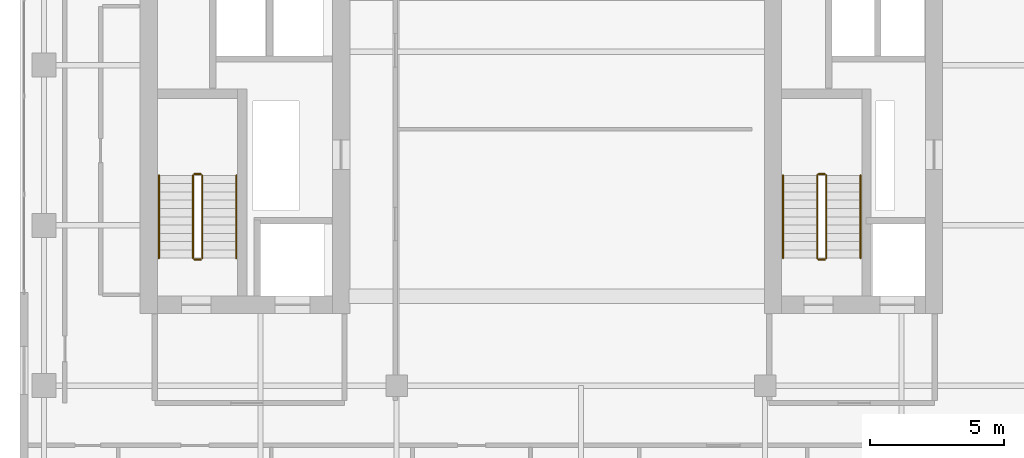
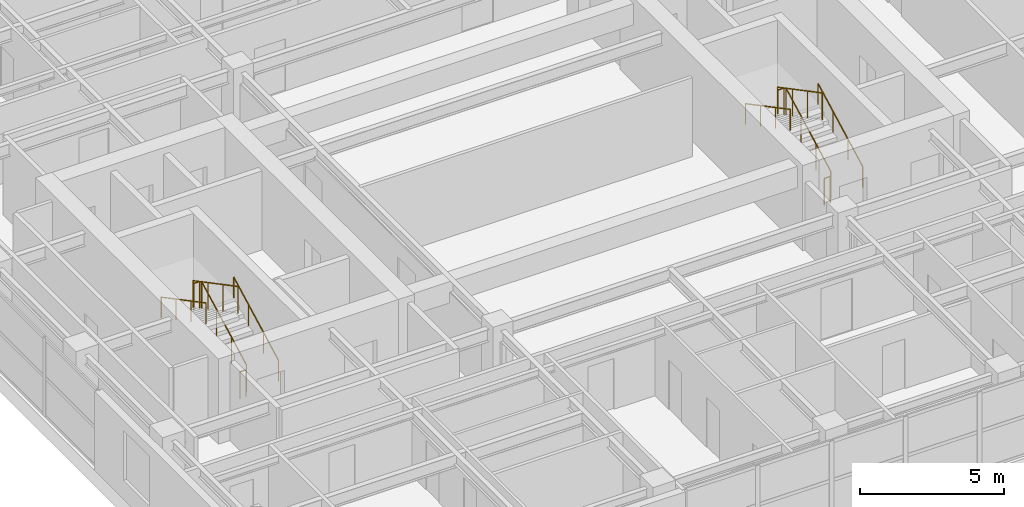
# One storey, part 24 of 24: 12 railings.
"""IFC4 building model written with IfcOpenShell, lengths in metres."""

from ifc_helpers import new_model, si_unit, direction, frame, origin, origin_2d, place, context, subcontext, project, spatial, circle, extrude, material, type_object, element, save


model = new_model("IFC4")

# Units and contexts
model_context = context("Model", 3, precision=1e-05, world=origin(), true_north=direction((0.0, 1.0)))
body_context = subcontext(model_context, "Body", "Model", "MODEL_VIEW")
ifc_project = project(units=[si_unit("LENGTHUNIT", "METRE"), si_unit("AREAUNIT", "SQUARE_METRE"), si_unit("VOLUMEUNIT", "CUBIC_METRE"), si_unit("PLANEANGLEUNIT", "RADIAN"), si_unit("MASSUNIT", "GRAM", prefix="KILO")], contexts=[model_context])

# Site, building, storey
site_placement = place(None, origin())
site = spatial("IfcSite", under=ifc_project, at=site_placement, CompositionType="ELEMENT")
building_placement = place(site_placement, origin())
building = spatial("IfcBuilding", under=site, at=building_placement, Name="Khoralis Quay Care Tower", CompositionType="ELEMENT")
storey_placement = place(building_placement, frame((0.0, 0.0, 155.699951171875)))
storey = spatial("IfcBuildingStorey", under=building, at=storey_placement, Name="L40", CompositionType="ELEMENT", Elevation=155.699951171875)

# Railings
ifc_material = material(Name="Brushed stainless steel", Category="steel")
railing_type_1 = type_object("IfcRailingType", Name="RL-GUARD-1150", PredefinedType="GUARDRAIL", material=ifc_material)
railing_1_placement = place(storey_placement, frame((9.820068359375, 16.77001953125, 0.16357421875)))
element("IfcRailing", 1, at=railing_1_placement, inside=storey, type_object=railing_type_1, Name="L40 ST-T1 stair guard 1", PredefinedType="GUARDRAIL", context=body_context, shape_type="SweptSolid", body=[
    extrude(circle(Radius=0.02392578125, at=origin_2d()), frame((0.0, 0.0, 1.1259765625), z_axis=(0.0, 0.884348015382, 0.466828220752), x_axis=(-1.0, 0.0, 0.0)), (0.0, 0.0, 1.0), 3.505615234375),
    extrude(circle(Radius=0.02099609375, at=origin_2d()), origin(), (0.0, 0.0, 1.0), 1.101806640625),
    extrude(circle(Radius=0.02099609375, at=origin_2d()), frame((0.0, 1.033447265625, 0.54541015625)), (0.0, 0.0, 1.0), 1.101806640625),
    extrude(circle(Radius=0.02099609375, at=origin_2d()), frame((0.0, 2.066650390625, 1.091064453125)), (0.0, 0.0, 1.0), 1.101806640625),
    extrude(circle(Radius=0.02099609375, at=origin_2d()), frame((0.0, 3.10009765625, 1.636474609375)), (0.0, 0.0, 1.0), 1.101806640625),
])
railing_2_placement = place(storey_placement, frame((9.77001953125, 19.919921875, 1.800048828125)))
element("IfcRailing", 2, at=railing_2_placement, inside=storey, type_object=railing_type_1, Name="L40 ST-T1 stair guard 2", PredefinedType="GUARDRAIL", context=body_context, shape_type="SweptSolid", body=[
    extrude(circle(Radius=0.02392578125, at=origin_2d()), frame((0.0, 0.0, 1.1259765625), z_axis=(-1.0, 0.0, 0.0), x_axis=(0.0, -1.0, 0.0)), (0.0, 0.0, 1.0), 0.239990234375),
    extrude(circle(Radius=0.02099609375, at=origin_2d()), origin(), (0.0, 0.0, 1.0), 1.101806640625),
    extrude(circle(Radius=0.02099609375, at=origin_2d()), frame((-0.239990234375, 0.0, 0.0)), (0.0, 0.0, 1.0), 1.101806640625),
])
railing_3_placement = place(storey_placement, frame((9.47998046875, 19.8701171875, 1.963623046875)))
element("IfcRailing", 3, at=railing_3_placement, inside=storey, type_object=railing_type_1, Name="L40 ST-T1 stair guard 3", PredefinedType="GUARDRAIL", context=body_context, shape_type="SweptSolid", body=[
    extrude(circle(Radius=0.02392578125, at=origin_2d()), frame((0.0, 0.0, 1.1259765625), z_axis=(0.0, -0.884348015382, 0.466828220752), x_axis=(1.0, 0.0, 0.0)), (0.0, 0.0, 1.0), 3.505615234375),
    extrude(circle(Radius=0.02099609375, at=origin_2d()), origin(), (0.0, 0.0, 1.0), 1.101806640625),
    extrude(circle(Radius=0.02099609375, at=origin_2d()), frame((0.0, -1.033447265625, 0.54541015625)), (0.0, 0.0, 1.0), 1.101806640625),
    extrude(circle(Radius=0.02099609375, at=origin_2d()), frame((0.0, -2.066650390625, 1.091064453125)), (0.0, 0.0, 1.0), 1.101806640625),
    extrude(circle(Radius=0.02099609375, at=origin_2d()), frame((0.0, -3.10009765625, 1.636474609375)), (0.0, 0.0, 1.0), 1.101806640625),
])
railing_4_placement = place(storey_placement, frame((9.77001953125, 16.719970703125, 0.0)))
element("IfcRailing", 4, at=railing_4_placement, inside=storey, type_object=railing_type_1, Name="L40 ST-T1 stair guard 4", PredefinedType="GUARDRAIL", context=body_context, shape_type="SweptSolid", body=[
    extrude(circle(Radius=0.02392578125, at=origin_2d()), frame((0.0, 0.0, 1.1259765625), z_axis=(-1.0, 0.0, 0.0), x_axis=(0.0, -1.0, 0.0)), (0.0, 0.0, 1.0), 0.239990234375),
    extrude(circle(Radius=0.02099609375, at=origin_2d()), origin(), (0.0, 0.0, 1.0), 1.101806640625),
    extrude(circle(Radius=0.02099609375, at=origin_2d()), frame((-0.239990234375, 0.0, 0.0)), (0.0, 0.0, 1.0), 1.101806640625),
])
railing_5_placement = place(storey_placement, frame((33.18994140625, 16.77001953125, 0.16357421875)))
element("IfcRailing", 5, at=railing_5_placement, inside=storey, type_object=railing_type_1, Name="L40 ST-T2 stair guard 1", PredefinedType="GUARDRAIL", context=body_context, shape_type="SweptSolid", body=[
    extrude(circle(Radius=0.02392578125, at=origin_2d()), frame((0.0, 0.0, 1.1259765625), z_axis=(0.0, 0.884348015382, 0.466828220752), x_axis=(-1.0, 0.0, 0.0)), (0.0, 0.0, 1.0), 3.505615234375),
    extrude(circle(Radius=0.02099609375, at=origin_2d()), origin(), (0.0, 0.0, 1.0), 1.101806640625),
    extrude(circle(Radius=0.02099609375, at=origin_2d()), frame((0.0, 1.033447265625, 0.54541015625)), (0.0, 0.0, 1.0), 1.101806640625),
    extrude(circle(Radius=0.02099609375, at=origin_2d()), frame((0.0, 2.066650390625, 1.091064453125)), (0.0, 0.0, 1.0), 1.101806640625),
    extrude(circle(Radius=0.02099609375, at=origin_2d()), frame((0.0, 3.10009765625, 1.636474609375)), (0.0, 0.0, 1.0), 1.101806640625),
])
railing_6_placement = place(storey_placement, frame((33.139892578125, 19.919921875, 1.800048828125)))
element("IfcRailing", 6, at=railing_6_placement, inside=storey, type_object=railing_type_1, Name="L40 ST-T2 stair guard 2", PredefinedType="GUARDRAIL", context=body_context, shape_type="SweptSolid", body=[
    extrude(circle(Radius=0.02392578125, at=origin_2d()), frame((0.0, 0.0, 1.1259765625), z_axis=(-1.0, 0.0, 0.0), x_axis=(0.0, -1.0, 0.0)), (0.0, 0.0, 1.0), 0.239990234375),
    extrude(circle(Radius=0.02099609375, at=origin_2d()), origin(), (0.0, 0.0, 1.0), 1.101806640625),
    extrude(circle(Radius=0.02099609375, at=origin_2d()), frame((-0.239990234375, 0.0, 0.0)), (0.0, 0.0, 1.0), 1.101806640625),
])
railing_7_placement = place(storey_placement, frame((32.85009765625, 19.8701171875, 1.963623046875)))
element("IfcRailing", 7, at=railing_7_placement, inside=storey, type_object=railing_type_1, Name="L40 ST-T2 stair guard 3", PredefinedType="GUARDRAIL", context=body_context, shape_type="SweptSolid", body=[
    extrude(circle(Radius=0.02392578125, at=origin_2d()), frame((0.0, 0.0, 1.1259765625), z_axis=(0.0, -0.884348015382, 0.466828220752), x_axis=(1.0, 0.0, 0.0)), (0.0, 0.0, 1.0), 3.505615234375),
    extrude(circle(Radius=0.02099609375, at=origin_2d()), origin(), (0.0, 0.0, 1.0), 1.101806640625),
    extrude(circle(Radius=0.02099609375, at=origin_2d()), frame((0.0, -1.033447265625, 0.54541015625)), (0.0, 0.0, 1.0), 1.101806640625),
    extrude(circle(Radius=0.02099609375, at=origin_2d()), frame((0.0, -2.066650390625, 1.091064453125)), (0.0, 0.0, 1.0), 1.101806640625),
    extrude(circle(Radius=0.02099609375, at=origin_2d()), frame((0.0, -3.10009765625, 1.636474609375)), (0.0, 0.0, 1.0), 1.101806640625),
])
railing_8_placement = place(storey_placement, frame((33.139892578125, 16.719970703125, 0.0)))
element("IfcRailing", 8, at=railing_8_placement, inside=storey, type_object=railing_type_1, Name="L40 ST-T2 stair guard 4", PredefinedType="GUARDRAIL", context=body_context, shape_type="SweptSolid", body=[
    extrude(circle(Radius=0.02392578125, at=origin_2d()), frame((0.0, 0.0, 1.1259765625), z_axis=(-1.0, 0.0, 0.0), x_axis=(0.0, -1.0, 0.0)), (0.0, 0.0, 1.0), 0.239990234375),
    extrude(circle(Radius=0.02099609375, at=origin_2d()), origin(), (0.0, 0.0, 1.0), 1.101806640625),
    extrude(circle(Radius=0.02099609375, at=origin_2d()), frame((-0.239990234375, 0.0, 0.0)), (0.0, 0.0, 1.0), 1.101806640625),
])
railing_type_2 = type_object("IfcRailingType", Name="RL-HAND-900", PredefinedType="HANDRAIL", material=ifc_material)
railing_9_placement = place(storey_placement, frame((11.10009765625, 16.77001953125, 0.16357421875)))
element("IfcRailing", 9, at=railing_9_placement, inside=storey, type_object=railing_type_2, Name="L40 ST-T1 stair handrail 1", PredefinedType="HANDRAIL", context=body_context, shape_type="SweptSolid", body=[
    extrude(circle(Radius=0.02392578125, at=origin_2d()), frame((0.0, 0.0, 0.8759765625), z_axis=(0.0, 0.884348015382, 0.466828220752), x_axis=(-1.0, 0.0, 0.0)), (0.0, 0.0, 1.0), 3.505615234375),
    extrude(circle(Radius=0.02099609375, at=origin_2d()), origin(), (0.0, 0.0, 1.0), 0.851806640625),
    extrude(circle(Radius=0.02099609375, at=origin_2d()), frame((0.0, 1.033447265625, 0.54541015625)), (0.0, 0.0, 1.0), 0.851806640625),
    extrude(circle(Radius=0.02099609375, at=origin_2d()), frame((0.0, 2.066650390625, 1.091064453125)), (0.0, 0.0, 1.0), 0.851806640625),
    extrude(circle(Radius=0.02099609375, at=origin_2d()), frame((0.0, 3.10009765625, 1.636474609375)), (0.0, 0.0, 1.0), 0.851806640625),
])
railing_10_placement = place(storey_placement, frame((8.199951171875, 19.8701171875, 1.963623046875)))
element("IfcRailing", 10, at=railing_10_placement, inside=storey, type_object=railing_type_2, Name="L40 ST-T1 stair handrail 2", PredefinedType="HANDRAIL", context=body_context, shape_type="SweptSolid", body=[
    extrude(circle(Radius=0.02392578125, at=origin_2d()), frame((0.0, 0.0, 0.8759765625), z_axis=(0.0, -0.884348015382, 0.466828220752), x_axis=(1.0, 0.0, 0.0)), (0.0, 0.0, 1.0), 3.505615234375),
    extrude(circle(Radius=0.02099609375, at=origin_2d()), origin(), (0.0, 0.0, 1.0), 0.851806640625),
    extrude(circle(Radius=0.02099609375, at=origin_2d()), frame((0.0, -1.033447265625, 0.54541015625)), (0.0, 0.0, 1.0), 0.851806640625),
    extrude(circle(Radius=0.02099609375, at=origin_2d()), frame((0.0, -2.066650390625, 1.091064453125)), (0.0, 0.0, 1.0), 0.851806640625),
    extrude(circle(Radius=0.02099609375, at=origin_2d()), frame((0.0, -3.10009765625, 1.636474609375)), (0.0, 0.0, 1.0), 0.851806640625),
])
railing_11_placement = place(storey_placement, frame((34.469970703125, 16.77001953125, 0.16357421875)))
element("IfcRailing", 11, at=railing_11_placement, inside=storey, type_object=railing_type_2, Name="L40 ST-T2 stair handrail 1", PredefinedType="HANDRAIL", context=body_context, shape_type="SweptSolid", body=[
    extrude(circle(Radius=0.02392578125, at=origin_2d()), frame((0.0, 0.0, 0.8759765625), z_axis=(0.0, 0.884348015382, 0.466828220752), x_axis=(-1.0, 0.0, 0.0)), (0.0, 0.0, 1.0), 3.505615234375),
    extrude(circle(Radius=0.02099609375, at=origin_2d()), origin(), (0.0, 0.0, 1.0), 0.851806640625),
    extrude(circle(Radius=0.02099609375, at=origin_2d()), frame((0.0, 1.033447265625, 0.54541015625)), (0.0, 0.0, 1.0), 0.851806640625),
    extrude(circle(Radius=0.02099609375, at=origin_2d()), frame((0.0, 2.066650390625, 1.091064453125)), (0.0, 0.0, 1.0), 0.851806640625),
    extrude(circle(Radius=0.02099609375, at=origin_2d()), frame((0.0, 3.10009765625, 1.636474609375)), (0.0, 0.0, 1.0), 0.851806640625),
])
railing_12_placement = place(storey_placement, frame((31.570068359375, 19.8701171875, 1.963623046875)))
element("IfcRailing", 12, at=railing_12_placement, inside=storey, type_object=railing_type_2, Name="L40 ST-T2 stair handrail 2", PredefinedType="HANDRAIL", context=body_context, shape_type="SweptSolid", body=[
    extrude(circle(Radius=0.02392578125, at=origin_2d()), frame((0.0, 0.0, 0.8759765625), z_axis=(0.0, -0.884348015382, 0.466828220752), x_axis=(1.0, 0.0, 0.0)), (0.0, 0.0, 1.0), 3.505615234375),
    extrude(circle(Radius=0.02099609375, at=origin_2d()), origin(), (0.0, 0.0, 1.0), 0.851806640625),
    extrude(circle(Radius=0.02099609375, at=origin_2d()), frame((0.0, -1.033447265625, 0.54541015625)), (0.0, 0.0, 1.0), 0.851806640625),
    extrude(circle(Radius=0.02099609375, at=origin_2d()), frame((0.0, -2.066650390625, 1.091064453125)), (0.0, 0.0, 1.0), 0.851806640625),
    extrude(circle(Radius=0.02099609375, at=origin_2d()), frame((0.0, -3.10009765625, 1.636474609375)), (0.0, 0.0, 1.0), 0.851806640625),
])

save(model, "model.ifc")
